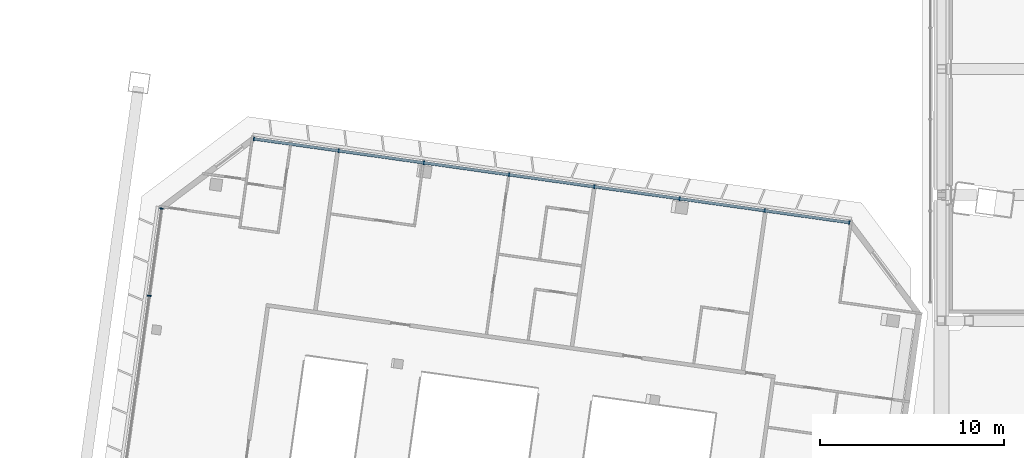
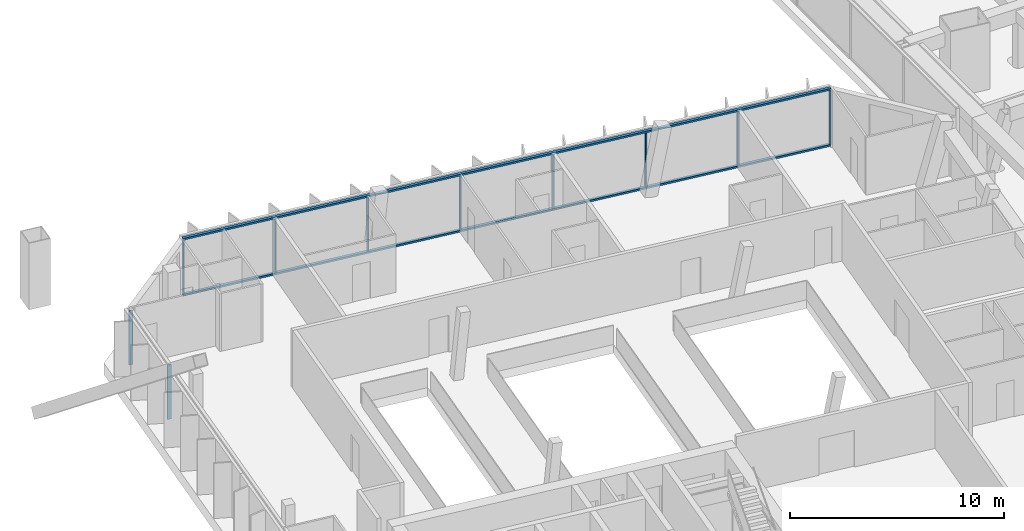
# One storey, part 5 of 28: 12 members, 2 elements without a shape of their own.
"""IFC4 building model written with IfcOpenShell, lengths in metres."""

import ifcopenshell
import ifcopenshell.guid

model = None  # the IFC model being written
_history = None  # IfcOwnerHistory: only IFC2X3 demands one
_inside = {}  # id of a spatial element -> (the spatial element, [elements in it])
_under = {}  # id of a project, library or spatial element -> (it, [spatial elements below it])
_declared = {}  # id of a project -> (the project, [libraries it declares])
_typed = {}  # id of a type object -> (the type object, [elements of that type])
_made_of = {}  # id of a material, layer set ... -> (it, [elements and type objects made of it])


def new_model(schema):
    """Start an empty IFC model of exactly this schema.

    Asked for "IFC4X3", IfcOpenShell would pick the latest addendum, in which some entities
    have other attributes; the version numbers below select the first issue.
    IFC2X3 requires an IfcOwnerHistory on every rooted entity: one is made here for all.
    """
    global model, _history
    if schema == "IFC4X3":
        model = ifcopenshell.file(schema_version=(4, 3, 0, 0))
    else:
        model = ifcopenshell.file(schema=schema)
    _inside.clear()
    _under.clear()
    _declared.clear()
    _typed.clear()
    _made_of.clear()
    _history = None
    if model.schema == "IFC2X3":
        org = make("IfcOrganization", Name="unknown")
        user = make(
            "IfcPersonAndOrganization",
            ThePerson=make("IfcPerson", FamilyName="unknown"),
            TheOrganization=org,
        )
        app = make(
            "IfcApplication",
            ApplicationDeveloper=org,
            Version="unknown",
            ApplicationFullName="unknown",
            ApplicationIdentifier="unknown",
        )
        _history = make(
            "IfcOwnerHistory",
            OwningUser=user,
            OwningApplication=app,
            ChangeAction="ADDED",
            CreationDate=0,
        )
    return model


def make(cls, **values):
    """One entity of the class cls with the attributes given. An attribute that is None is left unset."""
    return model.create_entity(
        cls, **{name: value for name, value in values.items() if value is not None}
    )


def rooted(cls, **values):
    """An entity with a GlobalId (a new one), such as an element, a storey or a relation."""
    return make(cls, GlobalId=ifcopenshell.guid.new(), OwnerHistory=_history, **values)


def si_unit(unit_type, name, prefix=None):
    """IfcSIUnit, for example si_unit("LENGTHUNIT", "METRE", prefix="MILLI")."""
    return make("IfcSIUnit", UnitType=unit_type, Prefix=prefix, Name=name)


def assignment(units):
    """IfcUnitAssignment: the units of a project."""
    return None if units is None else make("IfcUnitAssignment", Units=units)


def point(xyz):
    """IfcCartesianPoint."""
    return None if xyz is None else make("IfcCartesianPoint", Coordinates=xyz)


def direction(xyz):
    """IfcDirection."""
    return None if xyz is None else make("IfcDirection", DirectionRatios=xyz)


def frame(location, z_axis=None, x_axis=None):
    """IfcAxis2Placement3D, a coordinate frame: its origin and axes. An axis left out is left unset."""
    return make(
        "IfcAxis2Placement3D",
        Location=point(location),
        Axis=direction(z_axis),
        RefDirection=direction(x_axis),
    )


def frame_2d(location, x_axis=None):
    """IfcAxis2Placement2D, a coordinate frame in the plane: its origin and x axis."""
    return make(
        "IfcAxis2Placement2D", Location=point(location), RefDirection=direction(x_axis)
    )


def origin():
    """The frame at (0, 0, 0) with its axes left unset."""
    return frame((0.0, 0.0, 0.0))


def origin_2d():
    """The frame at (0, 0) in the plane with its x axis left unset."""
    return frame_2d((0.0, 0.0))


def place(relative_to, where):
    """IfcLocalPlacement: puts the frame where relative to a parent placement (None: the world)."""
    return make(
        "IfcLocalPlacement", PlacementRelTo=relative_to, RelativePlacement=where
    )


def context(
    kind, dimensions, precision=None, world=None, true_north=None, identifier=None
):
    """IfcGeometricRepresentationContext, for example the 3D "Model" context."""
    return make(
        "IfcGeometricRepresentationContext",
        ContextIdentifier=identifier,
        ContextType=kind,
        CoordinateSpaceDimension=dimensions,
        Precision=precision,
        WorldCoordinateSystem=world,
        TrueNorth=true_north,
    )


def subcontext(parent, identifier, kind, view, scale=None):
    """IfcGeometricRepresentationSubContext, for example "Body" below "Model"."""
    return make(
        "IfcGeometricRepresentationSubContext",
        ContextIdentifier=identifier,
        ContextType=kind,
        ParentContext=parent,
        TargetScale=scale,
        TargetView=view,
    )


def project(units=None, contexts=None):
    """IfcProject with its units and contexts."""
    return rooted(
        "IfcProject",
        Name="project",
        RepresentationContexts=contexts,
        UnitsInContext=assignment(units),
    )


def spatial(cls, under=None, at=None, **own):
    """A site, building, storey or space (cls), placed at a placement, below another one or the project."""
    s = rooted(cls, ObjectPlacement=at, **own)
    if under is not None:
        _under.setdefault(under.id(), (under, []))[1].append(s)
    return s


def profile(cls, at=None, kind="AREA", **sizes):
    """A parametric profile (cls). Its sizes go by their IFC names, for example OverallWidth=200.0."""
    return make(cls, ProfileType=kind, Position=at, **sizes)


def rectangle(**sizes):
    """IfcRectangleProfileDef."""
    return profile("IfcRectangleProfileDef", **sizes)


def extrude(swept, where, along, depth):
    """IfcExtrudedAreaSolid: the profile swept, set in the frame where, extruded along a direction by depth."""
    return make(
        "IfcExtrudedAreaSolid",
        SweptArea=swept,
        Position=where,
        ExtrudedDirection=direction(along),
        Depth=depth,
    )


def shape(context_of_items, identifier, shape_type, items):
    """IfcShapeRepresentation: the items that make up one representation, for example the "Body"."""
    return make(
        "IfcShapeRepresentation",
        ContextOfItems=context_of_items,
        RepresentationIdentifier=identifier,
        RepresentationType=shape_type,
        Items=items,
    )


def material(Name=None, Category=None):
    """IfcMaterial."""
    return make("IfcMaterial", Name=Name, Category=Category)


def material_profile(
    of_material, cross_section, Name=None, Category=None, Priority=None
):
    """IfcMaterialProfile: a cross section and its material."""
    return make(
        "IfcMaterialProfile",
        Name=Name,
        Material=of_material,
        Profile=cross_section,
        Priority=Priority,
        Category=Category,
    )


def profile_set(profiles, Name=None, composite=None):
    """IfcMaterialProfileSet."""
    return make(
        "IfcMaterialProfileSet",
        Name=Name,
        MaterialProfiles=profiles,
        CompositeProfile=composite,
    )


def made_of(thing, what):
    """Note that an element or type object is made of a material, layer set ...; save() writes the relation."""
    if what is not None:
        _made_of.setdefault(what.id(), (what, []))[1].append(thing)
    return thing


def type_object(cls, material=None, **own):
    """A type object (cls), such as IfcWallType, which elements share."""
    return made_of(rooted(cls, **own), material)


def element(
    cls,
    number,
    at=None,
    inside=None,
    cuts=None,
    type_object=None,
    material=None,
    context=None,
    identifier="Body",
    shape_type=None,
    held_by="IfcProductDefinitionShape",
    body=None,
    shapes=None,
    **own,
):
    """One element of the class cls, such as IfcWall. Its Tag is "e" and its number.

    at: its placement. inside: the storey or other place that contains it. cuts: it is an
    opening in that element (IfcRelVoidsElement). A single representation is given by context,
    identifier, shape_type and body (its items); several are given by shapes. held_by: the class
    of the entity that holds the representations. save() writes the other relations.
    """
    e = rooted(cls, Tag="e%d" % number, ObjectPlacement=at, **own)
    if body is not None:
        shapes = [shape(context, identifier, shape_type, body)]
    if shapes is not None:
        e.Representation = make(held_by, Representations=shapes)
    if inside is not None:
        _inside.setdefault(inside.id(), (inside, []))[1].append(e)
    if cuts is not None:
        rooted(
            "IfcRelVoidsElement", RelatingBuildingElement=cuts, RelatedOpeningElement=e
        )
    if type_object is not None:
        _typed.setdefault(type_object.id(), (type_object, []))[1].append(e)
    return made_of(e, material)


def aggregate(whole, parts):
    """IfcRelAggregates: a whole, such as a stair, and the parts it consists of."""
    return rooted("IfcRelAggregates", RelatingObject=whole, RelatedObjects=parts)


def save(model, path):
    """Write the relations noted so far, then the file.

    IfcRelAggregates (storeys below a building ...), IfcRelContainedInSpatialStructure (elements
    in a storey), IfcRelDefinesByType, IfcRelAssociatesMaterial and IfcRelDeclares: one each for
    every whole, place, type object, material and project.
    """
    for whole, parts in _under.values():
        aggregate(whole, parts)
    for where, things in _inside.values():
        rooted(
            "IfcRelContainedInSpatialStructure",
            RelatedElements=things,
            RelatingStructure=where,
        )
    for kind, things in _typed.values():
        rooted("IfcRelDefinesByType", RelatedObjects=things, RelatingType=kind)
    for what, things in _made_of.values():
        rooted("IfcRelAssociatesMaterial", RelatedObjects=things, RelatingMaterial=what)
    for by, libraries in _declared.values():
        rooted("IfcRelDeclares", RelatingContext=by, RelatedDefinitions=libraries)
    model.write(path)


model = new_model("IFC4")

# Units and contexts
model_context = context("Model", 3, precision=1e-05, world=origin(), true_north=direction((0.0, 1.0)))
body_context = subcontext(model_context, "Body", "Model", "MODEL_VIEW")
ifc_project = project(units=[si_unit("LENGTHUNIT", "METRE"), si_unit("AREAUNIT", "SQUARE_METRE"), si_unit("VOLUMEUNIT", "CUBIC_METRE"), si_unit("PLANEANGLEUNIT", "RADIAN"), si_unit("MASSUNIT", "GRAM", prefix="KILO")], contexts=[model_context])

# Site, building, storey
site_placement = place(None, origin())
site = spatial("IfcSite", under=ifc_project, at=site_placement, CompositionType="ELEMENT")
building_placement = place(site_placement, origin())
building = spatial("IfcBuilding", under=site, at=building_placement, Name="Mirante Cascada Hotel Towers", CompositionType="ELEMENT")
storey_placement = place(building_placement, frame((0.0, 0.0, 262.2)))
storey = spatial("IfcBuildingStorey", under=building, at=storey_placement, Name="L63", CompositionType="ELEMENT", Elevation=262.2)

# Curtain wall, members
ifc_material_1 = material(Name="Aluminium mullion and transom frame with clear laminated glass", Category="aluminium")
curtain_wall_type_1 = type_object("IfcCurtainWallType", Name="Ribbon curtain wall ECW1", PredefinedType="NOTDEFINED", material=ifc_material_1)
curtain_wall_1_placement = place(storey_placement, origin())
curtain_wall_1 = element("IfcCurtainWall", 1, at=curtain_wall_1_placement, inside=storey, type_object=curtain_wall_type_1, Name="Front ribbon wall T1 L63", PredefinedType="NOTDEFINED")
ifc_material_2 = material(Name="Anodised aluminium extrusion", Category="aluminium")
ifc_material_profile_1 = material_profile(ifc_material_2, rectangle(XDim=0.2, YDim=0.065, at=origin_2d()), Name="ECW1 MULLION 65x200")
ifc_profile_set_1 = profile_set([ifc_material_profile_1], Name="Anodised aluminium extrusion")
member_type_1 = type_object("IfcMemberType", Name="ECW1 mullion 65x200", PredefinedType="MULLION", material=ifc_profile_set_1)
member_1_placement = place(storey_placement, frame((-49.5639, 19.7848, 0.1), z_axis=(0.0, 0.0, 1.0), x_axis=(0.1391731, 0.9902681, 0.0)))
member_1 = element("IfcMember", 2, at=member_1_placement, type_object=member_type_1, Name="ECW1 mullion 1", PredefinedType="MULLION", context=body_context, shape_type="SweptSolid", body=[
    extrude(rectangle(XDim=0.2, YDim=0.065, at=origin_2d()), origin(), (0.0, 0.0, 1.0), 3.1),
])
member_2_placement = place(storey_placement, frame((-44.9719, 19.1394, 0.1), z_axis=(0.0, 0.0, 1.0), x_axis=(0.1391731, 0.9902681, 0.0)))
member_2 = element("IfcMember", 3, at=member_2_placement, type_object=member_type_1, Name="ECW1 mullion 2", PredefinedType="MULLION", context=body_context, shape_type="SweptSolid", body=[
    extrude(rectangle(XDim=0.2, YDim=0.065, at=origin_2d()), origin(), (0.0, 0.0, 1.0), 3.1),
])
member_3_placement = place(storey_placement, frame((-40.3476, 18.4895, 0.1), z_axis=(0.0, 0.0, 1.0), x_axis=(0.1391731, 0.9902681, 0.0)))
member_3 = element("IfcMember", 4, at=member_3_placement, type_object=member_type_1, Name="ECW1 mullion 3", PredefinedType="MULLION", context=body_context, shape_type="SweptSolid", body=[
    extrude(rectangle(XDim=0.2, YDim=0.065, at=origin_2d()), origin(), (0.0, 0.0, 1.0), 3.1),
])
member_4_placement = place(storey_placement, frame((-35.7234, 17.8396, 0.1), z_axis=(0.0, 0.0, 1.0), x_axis=(0.1391731, 0.9902681, 0.0)))
member_4 = element("IfcMember", 5, at=member_4_placement, type_object=member_type_1, Name="ECW1 mullion 4", PredefinedType="MULLION", context=body_context, shape_type="SweptSolid", body=[
    extrude(rectangle(XDim=0.2, YDim=0.065, at=origin_2d()), origin(), (0.0, 0.0, 1.0), 3.1),
])
member_5_placement = place(storey_placement, frame((-31.0992, 17.1897, 0.1), z_axis=(0.0, 0.0, 1.0), x_axis=(0.1391731, 0.9902681, 0.0)))
member_5 = element("IfcMember", 6, at=member_5_placement, type_object=member_type_1, Name="ECW1 mullion 5", PredefinedType="MULLION", context=body_context, shape_type="SweptSolid", body=[
    extrude(rectangle(XDim=0.2, YDim=0.065, at=origin_2d()), origin(), (0.0, 0.0, 1.0), 3.1),
])
member_6_placement = place(storey_placement, frame((-26.475, 16.5398, 0.1), z_axis=(0.0, 0.0, 1.0), x_axis=(0.1391731, 0.9902681, 0.0)))
member_6 = element("IfcMember", 7, at=member_6_placement, type_object=member_type_1, Name="ECW1 mullion 6", PredefinedType="MULLION", context=body_context, shape_type="SweptSolid", body=[
    extrude(rectangle(XDim=0.2, YDim=0.065, at=origin_2d()), origin(), (0.0, 0.0, 1.0), 3.1),
])
member_7_placement = place(storey_placement, frame((-21.8507, 15.8899, 0.1), z_axis=(0.0, 0.0, 1.0), x_axis=(0.1391731, 0.9902681, 0.0)))
member_7 = element("IfcMember", 8, at=member_7_placement, type_object=member_type_1, Name="ECW1 mullion 7", PredefinedType="MULLION", context=body_context, shape_type="SweptSolid", body=[
    extrude(rectangle(XDim=0.2, YDim=0.065, at=origin_2d()), origin(), (0.0, 0.0, 1.0), 3.1),
])
member_8_placement = place(storey_placement, frame((-17.2587, 15.2446, 0.1), z_axis=(0.0, 0.0, 1.0), x_axis=(0.1391731, 0.9902681, 0.0)))
member_8 = element("IfcMember", 9, at=member_8_placement, type_object=member_type_1, Name="ECW1 mullion 8", PredefinedType="MULLION", context=body_context, shape_type="SweptSolid", body=[
    extrude(rectangle(XDim=0.2, YDim=0.065, at=origin_2d()), origin(), (0.0, 0.0, 1.0), 3.1),
])
ifc_material_3 = material(Name="Anodised aluminium extrusion", Category="aluminium")
ifc_material_profile_2 = material_profile(ifc_material_3, rectangle(XDim=0.16, YDim=0.1, at=origin_2d()), Name="ECW1 TRANSOM 100x160")
ifc_profile_set_2 = profile_set([ifc_material_profile_2], Name="Anodised aluminium extrusion")
member_type_2 = type_object("IfcMemberType", Name="ECW1 transom 100x160", PredefinedType="USERDEFINED", material=ifc_profile_set_2)
member_9_placement = place(storey_placement, frame((-49.5961, 19.7893, 0.05), z_axis=(0.9902683, -0.1391716, 0.0), x_axis=(0.1391716, 0.9902683, 0.0)))
member_9 = element("IfcMember", 10, at=member_9_placement, type_object=member_type_2, Name="ECW1 sill transom", ObjectType="TRANSOM", PredefinedType="USERDEFINED", context=body_context, shape_type="SweptSolid", body=[
    extrude(rectangle(XDim=0.16, YDim=0.1, at=origin_2d()), origin(), (0.0, 0.0, 1.0), 32.6877),
])
member_10_placement = place(storey_placement, frame((-49.5961, 19.7893, 3.25), z_axis=(0.9902683, -0.1391716, 0.0), x_axis=(0.1391716, 0.9902683, 0.0)))
member_10 = element("IfcMember", 11, at=member_10_placement, type_object=member_type_2, Name="ECW1 head transom", ObjectType="TRANSOM", PredefinedType="USERDEFINED", context=body_context, shape_type="SweptSolid", body=[
    extrude(rectangle(XDim=0.16, YDim=0.1, at=origin_2d()), origin(), (0.0, 0.0, 1.0), 32.6877),
])
aggregate(curtain_wall_1, [member_9, member_10, member_1, member_2, member_3, member_4, member_5, member_6, member_7, member_8])

ifc_material_4 = material(Name="Aluminium mullion and transom frame with clear laminated glass", Category="aluminium")
curtain_wall_type_2 = type_object("IfcCurtainWallType", Name="End ribbon curtain wall ECW2", PredefinedType="NOTDEFINED", material=ifc_material_4)
curtain_wall_2_placement = place(storey_placement, origin())
curtain_wall_2 = element("IfcCurtainWall", 12, at=curtain_wall_2_placement, inside=storey, type_object=curtain_wall_type_2, Name="Outer end wall T1 L63", PredefinedType="NOTDEFINED")
ifc_material_5 = material(Name="Anodised aluminium extrusion", Category="aluminium")
ifc_material_profile_3 = material_profile(ifc_material_5, rectangle(XDim=0.2, YDim=0.065, at=origin_2d()), Name="ECW2 MULLION 65x200")
ifc_profile_set_3 = profile_set([ifc_material_profile_3], Name="Anodised aluminium extrusion")
member_type_3 = type_object("IfcMemberType", Name="ECW2 mullion 65x200", PredefinedType="MULLION", material=ifc_profile_set_3)
member_11_placement = place(storey_placement, frame((-55.2491, 11.2684, 0.1), z_axis=(0.0, 0.0, 1.0), x_axis=(-0.9902681, 0.1391731, 0.0)))
member_11 = element("IfcMember", 13, at=member_11_placement, type_object=member_type_3, Name="ECW2 mullion 6", PredefinedType="MULLION", context=body_context, shape_type="SweptSolid", body=[
    extrude(rectangle(XDim=0.2, YDim=0.065, at=origin_2d()), origin(), (0.0, 0.0, 1.0), 3.1),
])
member_12_placement = place(storey_placement, frame((-54.5839, 16.002, 0.1), z_axis=(0.0, 0.0, 1.0), x_axis=(-0.9902681, 0.1391731, 0.0)))
member_12 = element("IfcMember", 14, at=member_12_placement, type_object=member_type_3, Name="ECW2 mullion 7", PredefinedType="MULLION", context=body_context, shape_type="SweptSolid", body=[
    extrude(rectangle(XDim=0.2, YDim=0.065, at=origin_2d()), origin(), (0.0, 0.0, 1.0), 3.1),
])
aggregate(curtain_wall_2, [member_11, member_12])

save(model, "model.ifc")
